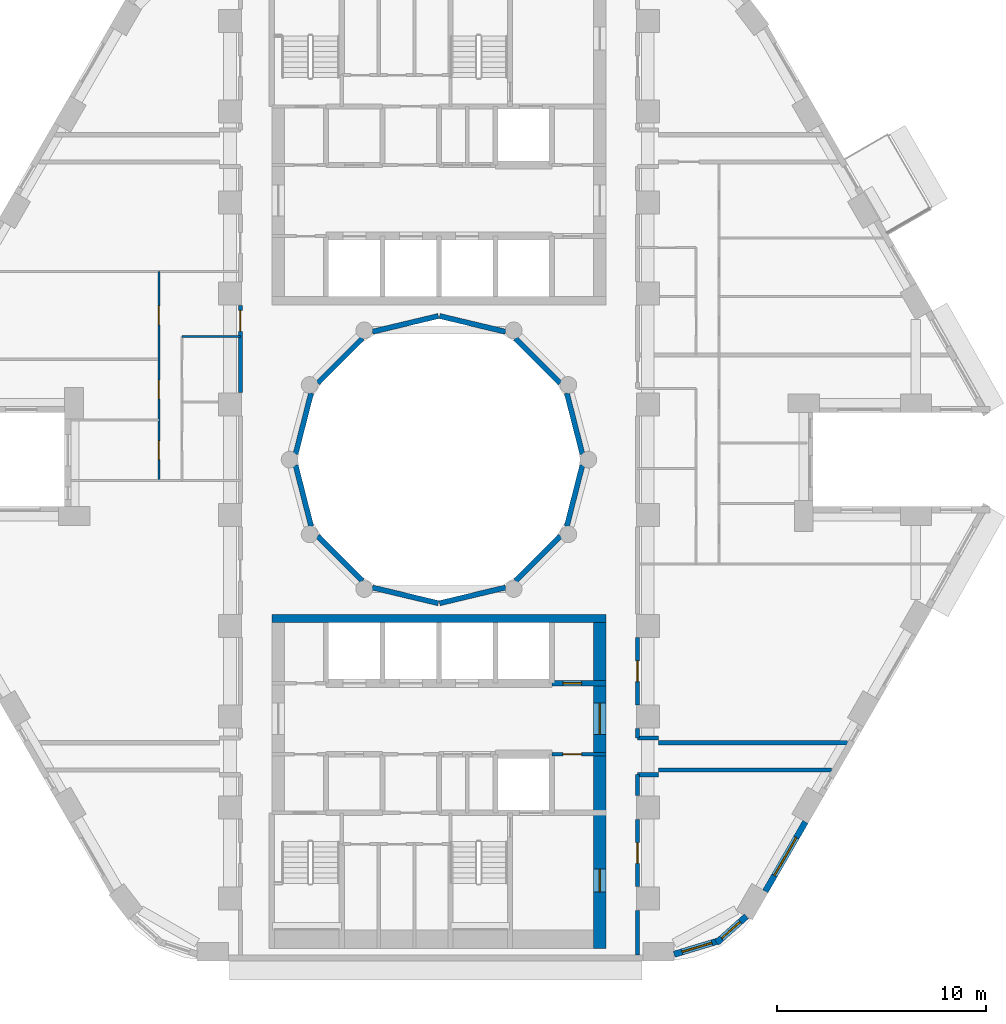
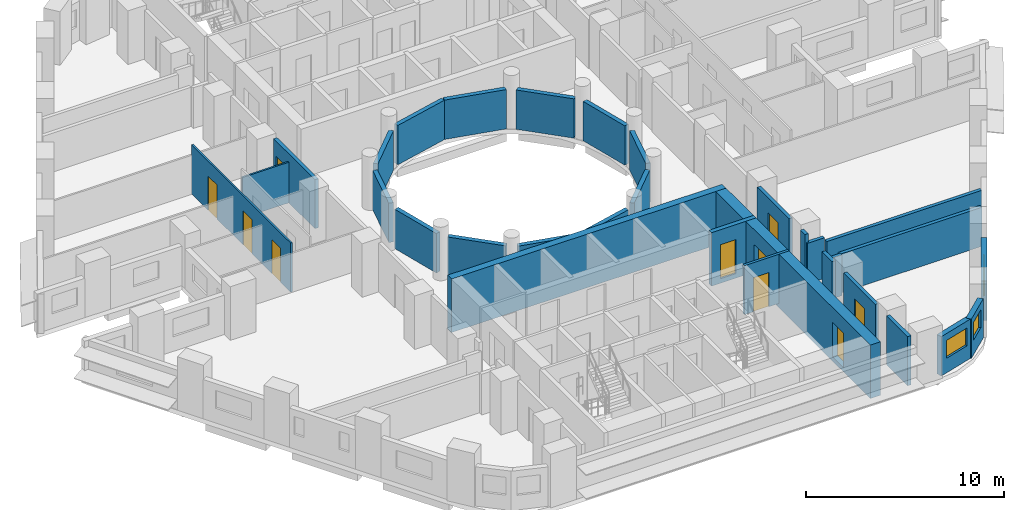
# One storey, part 5 of 13: 31 walls, 10 doors, 3 windows, 13 openings.
"""IFC4 building model written with IfcOpenShell, lengths in metres."""

from ifc_helpers import new_model, si_unit, direction, frame, frame_2d, origin, place, context, subcontext, project, spatial, rectangle, extrude, material, layer, layer_set, type_object, element, fill, save


model = new_model("IFC4")

# Units and contexts
model_context = context("Model", 3, precision=1e-05, world=origin(), true_north=direction((0.0, 1.0)))
body_context = subcontext(model_context, "Body", "Model", "MODEL_VIEW")
ifc_project = project(units=[si_unit("LENGTHUNIT", "METRE"), si_unit("AREAUNIT", "SQUARE_METRE"), si_unit("VOLUMEUNIT", "CUBIC_METRE"), si_unit("PLANEANGLEUNIT", "RADIAN"), si_unit("MASSUNIT", "GRAM", prefix="KILO")], contexts=[model_context])

# Site, building, storey
site_placement = place(None, origin())
site = spatial("IfcSite", under=ifc_project, at=site_placement, CompositionType="ELEMENT")
building_placement = place(site_placement, origin())
building = spatial("IfcBuilding", under=site, at=building_placement, Name="Nakaniwa Court", CompositionType="ELEMENT")
storey_placement = place(building_placement, frame((0.0, 0.0, 61.199951171875)))
storey = spatial("IfcBuildingStorey", under=building, at=storey_placement, Name="L16", CompositionType="ELEMENT", Elevation=61.199951171875)

# Wall
ifc_material_1 = material(Name="Acoustic double stud partition")
ifc_layer_1 = layer(ifc_material_1, 0.199951171875)
ifc_layer_set_1 = layer_set([ifc_layer_1], Name="Acoustic double stud partition")
wall_type_1 = type_object("IfcWallType", Name="Acoustic double stud partition 200", PredefinedType="PARTITIONING", material=ifc_layer_set_1)
wall_1_placement = place(storey_placement, frame((89.5, 56.300048828125, 0.0), z_axis=(0.0, 0.0, 1.0), x_axis=(0.0, 1.0, 0.0)))
element("IfcWall", 1, at=wall_1_placement, inside=storey, type_object=wall_type_1, Name="Partition PW-071", PredefinedType="PARTITIONING", context=body_context, shape_type="SweptSolid", body=[
    extrude(rectangle(XDim=2.133056640625, YDim=0.199951171875, at=frame_2d((1.06640625, 0.0))), origin(), (0.0, 0.0, 1.0), 3.025146484375),
])

# Wall, opening, door
wall_2_placement = place(storey_placement, frame((89.5, 62.782958984375, 0.0), z_axis=(0.0, 0.0, 1.0), x_axis=(0.0, -1.0, 0.0)))
wall_2 = element("IfcWall", 2, at=wall_2_placement, inside=storey, type_object=wall_type_1, Name="Partition PW-072", PredefinedType="PARTITIONING", context=body_context, shape_type="SweptSolid", body=[
    extrude(rectangle(XDim=3.216064453125, YDim=0.199951171875, at=frame_2d((1.60791015625, 0.0))), origin(), (0.0, 0.0, 1.0), 3.025146484375),
])
opening_1_placement = place(wall_2_placement, frame((1.10791015625, 0.0, 0.0)))
opening_1 = element("IfcOpeningElement", 3, at=opening_1_placement, cuts=wall_2, Name="Opening D-02-01", PredefinedType="OPENING", context=body_context, shape_type="SweptSolid", body=[
    extrude(rectangle(XDim=1.0, YDim=2.10009765625, at=frame_2d((0.5, 1.050048828125))), frame((0.0, 0.10986328125, 0.0), z_axis=(0.0, -1.0, 0.0), x_axis=(1.0, 0.0, 0.0)), (0.0, 0.0, 1.0), 0.219970703125),
])
ifc_material_2 = material(Name="Solid core timber door set, black veneer", Category="wood")
door_type_1 = type_object("IfcDoorType", Name="Internal door 1000", OperationType="NOTDEFINED", PredefinedType="DOOR", material=ifc_material_2)
door_1_placement = place(opening_1_placement, origin())
door_1 = element("IfcDoor", 4, at=door_1_placement, inside=storey, type_object=door_type_1, Name="Door D-02-01 L16-029", OperationType="SINGLE_SWING_RIGHT", OverallHeight=2.10009765625, OverallWidth=1.0, PredefinedType="DOOR", context=body_context, shape_type="SweptSolid", body=[
    extrude(rectangle(XDim=1.0, YDim=2.10009765625, at=frame_2d((0.5, 1.050048828125))), frame((0.0, 0.02490234375, 0.0), z_axis=(0.0, -1.0, 0.0), x_axis=(1.0, 0.0, 0.0)), (0.0, 0.0, 1.0), 0.050048828125),
])
fill(opening_1, door_1)

# Walls
wall_3_placement = place(storey_placement, frame((89.5, 63.9169921875, 0.0), z_axis=(0.0, 0.0, 1.0), x_axis=(0.0, 1.0, 0.0)))
element("IfcWall", 5, at=wall_3_placement, inside=storey, type_object=wall_type_1, Name="Partition PW-073", PredefinedType="PARTITIONING", context=body_context, shape_type="SweptSolid", body=[
    extrude(rectangle(XDim=1.010986328125, YDim=0.199951171875, at=frame_2d((0.50537109375, 0.0))), origin(), (0.0, 0.0, 1.0), 3.025146484375),
])
wall_4_placement = place(storey_placement, frame((89.5, 66.672119140625, 0.0), z_axis=(0.0, 0.0, 1.0), x_axis=(0.0, 1.0, 0.0)))
element("IfcWall", 6, at=wall_4_placement, inside=storey, type_object=wall_type_1, Name="Partition PW-074", PredefinedType="PARTITIONING", context=body_context, shape_type="SweptSolid", body=[
    extrude(rectangle(XDim=0.4609375, YDim=0.199951171875, at=frame_2d((0.23046875, 0.0))), origin(), (0.0, 0.0, 1.0), 3.025146484375),
])

# Wall, opening, door
wall_5_placement = place(storey_placement, frame((89.5, 71.48291015625, 0.0), z_axis=(0.0, 0.0, 1.0), x_axis=(0.0, -1.0, 0.0)))
wall_5 = element("IfcWall", 7, at=wall_5_placement, inside=storey, type_object=wall_type_1, Name="Partition PW-075", PredefinedType="PARTITIONING", context=body_context, shape_type="SweptSolid", body=[
    extrude(rectangle(XDim=3.2158203125, YDim=0.199951171875, at=frame_2d((1.60791015625, 0.0))), origin(), (0.0, 0.0, 1.0), 3.025146484375),
])
opening_2_placement = place(wall_5_placement, frame((1.10791015625, 0.0, 0.0)))
opening_2 = element("IfcOpeningElement", 8, at=opening_2_placement, cuts=wall_5, Name="Opening D-02-02", PredefinedType="OPENING", context=body_context, shape_type="SweptSolid", body=[
    extrude(rectangle(XDim=1.0, YDim=2.10009765625, at=frame_2d((0.5, 1.050048828125))), frame((0.0, 0.10986328125, 0.0), z_axis=(0.0, -1.0, 0.0), x_axis=(1.0, 0.0, 0.0)), (0.0, 0.0, 1.0), 0.219970703125),
])
door_2_placement = place(opening_2_placement, origin())
door_2 = element("IfcDoor", 9, at=door_2_placement, inside=storey, type_object=door_type_1, Name="Door D-02-02 L16-030", OperationType="SINGLE_SWING_LEFT", OverallHeight=2.10009765625, OverallWidth=1.0, PredefinedType="DOOR", context=body_context, shape_type="SweptSolid", body=[
    extrude(rectangle(XDim=1.0, YDim=2.10009765625, at=frame_2d((0.5, 1.050048828125))), frame((0.0, 0.02490234375, 0.0), z_axis=(0.0, -1.0, 0.0), x_axis=(1.0, 0.0, 0.0)), (0.0, 0.0, 1.0), 0.050048828125),
])
fill(opening_2, door_2)

# Walls
wall_6_placement = place(storey_placement, frame((90.5, 65.14990234375, 0.0), z_axis=(0.0, 0.0, 1.0), x_axis=(1.0, 0.0, 0.0)))
element("IfcWall", 10, at=wall_6_placement, inside=storey, type_object=wall_type_1, Name="Partition PW-093", PredefinedType="PARTITIONING", context=body_context, shape_type="SweptSolid", body=[
    extrude(rectangle(XDim=8.292724609375, YDim=0.199951171875, at=frame_2d((4.146484375, 0.0))), origin(), (0.0, 0.0, 1.0), 2.405029296875),
])
for number, where, z_axis, x_axis, name in (
    (11, (89.5, 64.925048828125, 0.0), (0.0, 0.0, 1.0), (1.0, 0.0, 0.0), "Partition PW-095"),
    (12, (89.5, 66.675048828125, 0.0), (0.0, 0.0, 1.0), (1.0, 0.0, 0.0), "Partition PW-097"),
):
    element("IfcWall", number, at=place(storey_placement, frame(where, z_axis=z_axis, x_axis=x_axis)), inside=storey, type_object=wall_type_1, Name=name, PredefinedType="PARTITIONING", context=body_context, shape_type="SweptSolid", body=[
        extrude(rectangle(XDim=1.0, YDim=0.199951171875, at=frame_2d((0.5, 0.0))), origin(), (0.0, 0.0, 1.0), 2.505126953125),
    ])
wall_7_placement = place(storey_placement, frame((90.5, 66.449951171875, 0.0), z_axis=(0.0, 0.0, 1.0), x_axis=(1.0, 0.0, 0.0)))
element("IfcWall", 13, at=wall_7_placement, inside=storey, type_object=wall_type_1, Name="Partition PW-099", PredefinedType="PARTITIONING", context=body_context, shape_type="SweptSolid", body=[
    extrude(rectangle(XDim=9.043212890625, YDim=0.199951171875, at=frame_2d((4.521484375, 0.0))), origin(), (0.0, 0.0, 1.0), 2.405029296875),
])

# Wall, opening, door
wall_8_placement = place(storey_placement, frame((70.5, 83.217041015625, 0.0), z_axis=(0.0, 0.0, 1.0), x_axis=(0.0, 1.0, 0.0)))
wall_8 = element("IfcWall", 14, at=wall_8_placement, inside=storey, type_object=wall_type_1, Name="Partition PW-107", PredefinedType="PARTITIONING", context=body_context, shape_type="SweptSolid", body=[
    extrude(rectangle(XDim=4.166015625, YDim=0.199951171875, at=frame_2d((2.0830078125, 0.0))), origin(), (0.0, 0.0, 1.0), 3.025146484375),
])
opening_3_placement = place(wall_8_placement, frame((2.923095703125, 0.0, 0.0)))
opening_3 = element("IfcOpeningElement", 15, at=opening_3_placement, cuts=wall_8, Name="Opening D-01-03", PredefinedType="OPENING", context=body_context, shape_type="SweptSolid", body=[
    extrude(rectangle(XDim=1.0, YDim=2.10009765625, at=frame_2d((0.5, 1.050048828125))), frame((0.0, 0.10986328125, 0.0), z_axis=(0.0, -1.0, 0.0), x_axis=(1.0, 0.0, 0.0)), (0.0, 0.0, 1.0), 0.219970703125),
])
door_type_2 = type_object("IfcDoorType", Name="Flat entrance door 1000", OperationType="NOTDEFINED", PredefinedType="DOOR", material=ifc_material_2)
door_3_placement = place(opening_3_placement, origin())
door_3 = element("IfcDoor", 16, at=door_3_placement, inside=storey, type_object=door_type_2, Name="Door D-01-03 L16-046", OperationType="SINGLE_SWING_LEFT", OverallHeight=2.10009765625, OverallWidth=1.0, PredefinedType="DOOR", context=body_context, shape_type="SweptSolid", body=[
    extrude(rectangle(XDim=1.0, YDim=2.10009765625, at=frame_2d((0.5, 1.050048828125))), frame((0.0, 0.02490234375, 0.0), z_axis=(0.0, -1.0, 0.0), x_axis=(1.0, 0.0, 0.0)), (0.0, 0.0, 1.0), 0.050048828125),
])
fill(opening_3, door_3)

# Wall, opening, window
ifc_material_3 = material(Name="Charcoal ceramic cladding")
ifc_layer_2 = layer(ifc_material_3, 0.02, Name="Ceramic cladding")
ifc_material_4 = material(Name="Ventilated air cavity")
ifc_layer_3 = layer(ifc_material_4, 0.04, ventilated=True, Name="Ventilated cavity")
ifc_material_5 = material(Name="Mineral wool insulation")
ifc_layer_4 = layer(ifc_material_5, 0.1, Name="Insulation")
ifc_material_6 = material(Name="Cement bonded sheathing board")
ifc_layer_5 = layer(ifc_material_6, 0.012, Name="Sheathing")
ifc_material_7 = material(Name="Cold-formed galvanised stud frame with mineral wool infill")
ifc_layer_6 = layer(ifc_material_7, 0.1, Name="Stud frame")
ifc_material_8 = material(Name="Fire-rated gypsum plasterboard lining")
ifc_layer_7 = layer(ifc_material_8, 0.028, Name="Lining")
ifc_layer_set_2 = layer_set([ifc_layer_2, ifc_layer_3, ifc_layer_4, ifc_layer_5, ifc_layer_6, ifc_layer_7], Name="Charcoal ceramic faced external wall system")
wall_type_2 = type_object("IfcWallType", Name="Black ceramic faced external wall 300", PredefinedType="SOLIDWALL", material=ifc_layer_set_2)
wall_9_placement = place(storey_placement, frame((91.25341796875, 56.331298828125, 0.0), z_axis=(0.0, 0.0, 1.0), x_axis=(0.957433631901, 0.288653495569, 0.0)))
wall_9 = element("IfcWall", 17, at=wall_9_placement, inside=storey, type_object=wall_type_2, Name="L16 external wall 27", PredefinedType="SOLIDWALL", context=body_context, shape_type="SweptSolid", body=[
    extrude(rectangle(XDim=2.212646484375, YDim=0.300048828125, at=frame_2d((1.1064453125, 0.0))), origin(), (0.0, 0.0, 1.0), 2.425048828125),
])
opening_4_placement = place(wall_9_placement, frame((0.394287109375, 0.0, 0.89990234375)))
opening_4 = element("IfcOpeningElement", 18, at=opening_4_placement, cuts=wall_9, Name="Opening W5.29", PredefinedType="OPENING", context=body_context, shape_type="SweptSolid", body=[
    extrude(rectangle(XDim=1.5, YDim=1.10009765625, at=frame_2d((0.75, 0.550048828125))), frame((0.0, 0.159912109375, 0.0), z_axis=(0.0, -1.0, 0.0), x_axis=(1.0, 0.0, 0.0)), (0.0, 0.0, 1.0), 0.320068359375),
])
ifc_material_9 = material(Name="Black anodised aluminium frame with dark low-E laminated double glazing", Category="aluminium")
window_type_1 = type_object("IfcWindowType", Name="Dark glass window 1500x1100 sill 900", PartitioningType="SINGLE_PANEL", PredefinedType="WINDOW", material=ifc_material_9)
window_1_placement = place(opening_4_placement, origin())
window_1 = element("IfcWindow", 19, at=window_1_placement, inside=storey, type_object=window_type_1, Name="L16 habitable room window 27-0", OverallHeight=1.10009765625, OverallWidth=1.5, PartitioningType="SINGLE_PANEL", PredefinedType="WINDOW", context=body_context, shape_type="SweptSolid", body=[
    extrude(rectangle(XDim=1.5, YDim=1.10009765625, at=frame_2d((0.75, 0.550048828125))), frame((0.0, 0.030029296875, 0.0), z_axis=(0.0, -1.0, 0.0), x_axis=(1.0, 0.0, 0.0)), (0.0, 0.0, 1.0), 0.06005859375),
])
fill(opening_4, window_1)

wall_10_placement = place(storey_placement, frame((93.288818359375, 56.882568359375, 0.0), z_axis=(0.0, 0.0, 1.0), x_axis=(0.746941556212, 0.664889698825, 0.0)))
wall_10 = element("IfcWall", 20, at=wall_10_placement, inside=storey, type_object=wall_type_2, Name="L16 external wall 28", PredefinedType="SOLIDWALL", context=body_context, shape_type="SweptSolid", body=[
    extrude(rectangle(XDim=1.9013671875, YDim=0.300048828125, at=frame_2d((0.95068359375, 0.0))), origin(), (0.0, 0.0, 1.0), 2.425048828125),
])
opening_5_placement = place(wall_10_placement, frame((0.31005859375, 0.0, 0.89990234375)))
opening_5 = element("IfcOpeningElement", 21, at=opening_5_placement, cuts=wall_10, Name="Opening W6.30", PredefinedType="OPENING", context=body_context, shape_type="SweptSolid", body=[
    extrude(rectangle(XDim=1.199951171875, YDim=1.10009765625, at=frame_2d((0.60009765625, 0.550048828125))), frame((0.0, 0.159912109375, 0.0), z_axis=(0.0, -1.0, 0.0), x_axis=(1.0, 0.0, 0.0)), (0.0, 0.0, 1.0), 0.320068359375),
])
window_type_2 = type_object("IfcWindowType", Name="Dark glass window 1200x1100 sill 900", PartitioningType="SINGLE_PANEL", PredefinedType="WINDOW", material=ifc_material_9)
window_2_placement = place(opening_5_placement, origin())
window_2 = element("IfcWindow", 22, at=window_2_placement, inside=storey, type_object=window_type_2, Name="L16 habitable room window 28-0", OverallHeight=1.10009765625, OverallWidth=1.199951171875, PartitioningType="SINGLE_PANEL", PredefinedType="WINDOW", context=body_context, shape_type="SweptSolid", body=[
    extrude(rectangle(XDim=1.199951171875, YDim=1.10009765625, at=frame_2d((0.60009765625, 0.550048828125))), frame((0.0, 0.030029296875, 0.0), z_axis=(0.0, -1.0, 0.0), x_axis=(1.0, 0.0, 0.0)), (0.0, 0.0, 1.0), 0.06005859375),
])
fill(opening_5, window_2)

wall_11_placement = place(storey_placement, frame((95.615234375, 59.346435546875, 0.0), z_axis=(0.0, 0.0, 1.0), x_axis=(0.499974163209, 0.866040320149, 0.0)))
wall_11 = element("IfcWall", 23, at=wall_11_placement, inside=storey, type_object=wall_type_2, Name="L16 external wall 29", PredefinedType="SOLIDWALL", context=body_context, shape_type="SweptSolid", body=[
    extrude(rectangle(XDim=3.834228515625, YDim=0.300048828125, at=frame_2d((1.9169921875, 0.0))), origin(), (0.0, 0.0, 1.0), 2.425048828125),
])
opening_6_placement = place(wall_11_placement, frame((0.866943359375, 0.0, 0.89990234375)))
opening_6 = element("IfcOpeningElement", 24, at=opening_6_placement, cuts=wall_11, Name="Opening W7.31", PredefinedType="OPENING", context=body_context, shape_type="SweptSolid", body=[
    extrude(rectangle(XDim=2.10009765625, YDim=1.10009765625, at=frame_2d((1.050048828125, 0.550048828125))), frame((0.0, 0.159912109375, 0.0), z_axis=(0.0, -1.0, 0.0), x_axis=(1.0, 0.0, 0.0)), (0.0, 0.0, 1.0), 0.320068359375),
])
window_type_3 = type_object("IfcWindowType", Name="Dark glass window 2100x1100 sill 900", PartitioningType="SINGLE_PANEL", PredefinedType="WINDOW", material=ifc_material_9)
window_3_placement = place(opening_6_placement, origin())
window_3 = element("IfcWindow", 25, at=window_3_placement, inside=storey, type_object=window_type_3, Name="L16 habitable room window 29-0", OverallHeight=1.10009765625, OverallWidth=2.10009765625, PartitioningType="SINGLE_PANEL", PredefinedType="WINDOW", context=body_context, shape_type="SweptSolid", body=[
    extrude(rectangle(XDim=2.10009765625, YDim=1.10009765625, at=frame_2d((1.050048828125, 0.550048828125))), frame((0.0, 0.030029296875, 0.0), z_axis=(0.0, -1.0, 0.0), x_axis=(1.0, 0.0, 0.0)), (0.0, 0.0, 1.0), 0.06005859375),
])
fill(opening_6, window_3)

# Wall, opening, door
ifc_material_10 = material(Name="Blockwork partition", Category="masonry")
ifc_layer_8 = layer(ifc_material_10, 0.14990234375)
ifc_layer_set_3 = layer_set([ifc_layer_8], Name="Blockwork partition")
wall_type_3 = type_object("IfcWallType", Name="Blockwork partition 150", PredefinedType="PARTITIONING", material=ifc_layer_set_3)
wall_12_placement = place(storey_placement, frame((88.0, 65.89990234375, 0.0), z_axis=(0.0, 0.0, 1.0), x_axis=(-1.0, 0.0, 0.0)))
wall_12 = element("IfcWall", 26, at=wall_12_placement, inside=storey, type_object=wall_type_3, Name="Partition PW-053", PredefinedType="PARTITIONING", context=body_context, shape_type="SweptSolid", body=[
    extrude(rectangle(XDim=2.60302734375, YDim=0.14990234375, at=frame_2d((1.301513671875, 0.0))), origin(), (0.0, 0.0, 1.0), 3.025146484375),
])
opening_7_placement = place(wall_12_placement, frame((1.175048828125, 0.0, 0.0)))
opening_7 = element("IfcOpeningElement", 27, at=opening_7_placement, cuts=wall_12, Name="Opening D-05-15", PredefinedType="OPENING", context=body_context, shape_type="SweptSolid", body=[
    extrude(rectangle(XDim=0.89990234375, YDim=2.10009765625, at=frame_2d((0.449951171875, 1.050048828125))), frame((0.0, 0.0849609375, 0.0), z_axis=(0.0, -1.0, 0.0), x_axis=(1.0, 0.0, 0.0)), (0.0, 0.0, 1.0), 0.169921875),
])
ifc_material_11 = material(Name="Fire rated steel door set", Category="steel")
door_type_3 = type_object("IfcDoorType", Name="Service room door 900", OperationType="NOTDEFINED", PredefinedType="DOOR", material=ifc_material_11)
door_4_placement = place(opening_7_placement, origin())
door_4 = element("IfcDoor", 28, at=door_4_placement, inside=storey, type_object=door_type_3, Name="Door D-05-15 L16-022", OperationType="SINGLE_SWING_LEFT", OverallHeight=2.10009765625, OverallWidth=0.89990234375, PredefinedType="DOOR", context=body_context, shape_type="SweptSolid", body=[
    extrude(rectangle(XDim=0.89990234375, YDim=2.10009765625, at=frame_2d((0.449951171875, 1.050048828125))), frame((0.0, 0.02490234375, 0.0), z_axis=(0.0, -1.0, 0.0), x_axis=(1.0, 0.0, 0.0)), (0.0, 0.0, 1.0), 0.050048828125),
])
fill(opening_7, door_4)

# Walls
ifc_layer_9 = layer(ifc_material_3, 0.02, Name="Ceramic cladding")
ifc_layer_10 = layer(ifc_material_4, 0.04, ventilated=True, Name="Ventilated cavity")
ifc_layer_11 = layer(ifc_material_5, 0.075, Name="Insulation")
ifc_layer_12 = layer(ifc_material_6, 0.012, Name="Sheathing")
ifc_layer_13 = layer(ifc_material_7, 0.075, Name="Stud frame")
ifc_layer_14 = layer(ifc_material_8, 0.028, Name="Lining")
ifc_layer_set_4 = layer_set([ifc_layer_9, ifc_layer_10, ifc_layer_11, ifc_layer_12, ifc_layer_13, ifc_layer_14], Name="Charcoal ceramic faced external wall system")
wall_type_4 = type_object("IfcWallType", Name="Charcoal ceramic faced well wall 250", PredefinedType="SOLIDWALL", material=ifc_layer_set_4)
wall_13_placement = place(storey_placement, frame((86.8603515625, 79.72998046875, 0.0), z_axis=(0.0, 0.0, 1.0), x_axis=(-0.247055971283, -0.969001211069, 0.0)))
element("IfcWall", 29, at=wall_13_placement, inside=storey, type_object=wall_type_4, Name="L16 external wall 36", PredefinedType="SOLIDWALL", context=body_context, shape_type="SweptSolid", body=[
    extrude(rectangle(XDim=3.010009765625, YDim=0.25, at=frame_2d((1.5048828125, 0.0))), origin(), (0.0, 0.0, 1.0), 2.425048828125),
])
wall_14_placement = place(storey_placement, frame((85.8056640625, 76.339111328125, 0.0), z_axis=(0.0, 0.0, 1.0), x_axis=(-0.707106781187, -0.707106781187, 0.0)))
element("IfcWall", 30, at=wall_14_placement, inside=storey, type_object=wall_type_4, Name="L16 external wall 37", PredefinedType="SOLIDWALL", context=body_context, shape_type="SweptSolid", body=[
    extrude(rectangle(XDim=3.033203125, YDim=0.25, at=frame_2d((1.5166015625, 0.0))), origin(), (0.0, 0.0, 1.0), 2.425048828125),
])
for number, where, z_axis, x_axis, name in (
    (31, (83.186279296875, 73.880615234375, 0.0), (0.0, 0.0, 1.0), (-0.972773113459, -0.231759508395, 0.0), "L16 external wall 38"),
    (32, (79.970947265625, 73.12841796875, 0.0), (0.0, 0.0, 1.0), (-0.972773113459, 0.231759508395, 0.0), "L16 external wall 39"),
):
    element("IfcWall", number, at=place(storey_placement, frame(where, z_axis=z_axis, x_axis=x_axis)), inside=storey, type_object=wall_type_4, Name=name, PredefinedType="SOLIDWALL", context=body_context, shape_type="SweptSolid", body=[
        extrude(rectangle(XDim=3.24560546875, YDim=0.25, at=frame_2d((1.622802734375, 0.0))), origin(), (0.0, 0.0, 1.0), 2.425048828125),
    ])
wall_15_placement = place(storey_placement, frame((76.339111328125, 74.1943359375, 0.0), z_axis=(0.0, 0.0, 1.0), x_axis=(-0.707106781187, 0.707106781187, 0.0)))
element("IfcWall", 33, at=wall_15_placement, inside=storey, type_object=wall_type_4, Name="L16 external wall 40", PredefinedType="SOLIDWALL", context=body_context, shape_type="SweptSolid", body=[
    extrude(rectangle(XDim=3.033203125, YDim=0.25, at=frame_2d((1.5166015625, 0.0))), origin(), (0.0, 0.0, 1.0), 2.425048828125),
])
for number, where, z_axis, x_axis, name in (
    (34, (73.88330078125, 76.813232421875, 0.0), (0.0, 0.0, 1.0), (-0.247055971283, 0.969001211069, 0.0), "L16 external wall 41"),
    (35, (73.1396484375, 80.27001953125, 0.0), (0.0, 0.0, 1.0), (0.247055971283, 0.969001211069, 0.0), "L16 external wall 42"),
):
    element("IfcWall", number, at=place(storey_placement, frame(where, z_axis=z_axis, x_axis=x_axis)), inside=storey, type_object=wall_type_4, Name=name, PredefinedType="SOLIDWALL", context=body_context, shape_type="SweptSolid", body=[
        extrude(rectangle(XDim=3.010009765625, YDim=0.25, at=frame_2d((1.5048828125, 0.0))), origin(), (0.0, 0.0, 1.0), 2.425048828125),
    ])
wall_16_placement = place(storey_placement, frame((74.1943359375, 83.660888671875, 0.0), z_axis=(0.0, 0.0, 1.0), x_axis=(0.707106781187, 0.707106781187, 0.0)))
element("IfcWall", 36, at=wall_16_placement, inside=storey, type_object=wall_type_4, Name="L16 external wall 43", PredefinedType="SOLIDWALL", context=body_context, shape_type="SweptSolid", body=[
    extrude(rectangle(XDim=3.033203125, YDim=0.25, at=frame_2d((1.5166015625, 0.0))), origin(), (0.0, 0.0, 1.0), 2.425048828125),
])
for number, where, z_axis, x_axis, name in (
    (37, (76.813720703125, 86.119384765625, 0.0), (0.0, 0.0, 1.0), (0.972773113459, 0.231759508395, 0.0), "L16 external wall 44"),
    (38, (80.029052734375, 86.87158203125, 0.0), (0.0, 0.0, 1.0), (0.972773113459, -0.231759508395, 0.0), "L16 external wall 45"),
):
    element("IfcWall", number, at=place(storey_placement, frame(where, z_axis=z_axis, x_axis=x_axis)), inside=storey, type_object=wall_type_4, Name=name, PredefinedType="SOLIDWALL", context=body_context, shape_type="SweptSolid", body=[
        extrude(rectangle(XDim=3.24560546875, YDim=0.25, at=frame_2d((1.622802734375, 0.0))), origin(), (0.0, 0.0, 1.0), 2.425048828125),
    ])
wall_17_placement = place(storey_placement, frame((83.660888671875, 85.8056640625, 0.0), z_axis=(0.0, 0.0, 1.0), x_axis=(0.707106781187, -0.707106781187, 0.0)))
element("IfcWall", 39, at=wall_17_placement, inside=storey, type_object=wall_type_4, Name="L16 external wall 46", PredefinedType="SOLIDWALL", context=body_context, shape_type="SweptSolid", body=[
    extrude(rectangle(XDim=3.033203125, YDim=0.25, at=frame_2d((1.5166015625, 0.0))), origin(), (0.0, 0.0, 1.0), 2.425048828125),
])
wall_18_placement = place(storey_placement, frame((86.11669921875, 83.186767578125, 0.0), z_axis=(0.0, 0.0, 1.0), x_axis=(0.247055971283, -0.969001211069, 0.0)))
element("IfcWall", 40, at=wall_18_placement, inside=storey, type_object=wall_type_4, Name="L16 external wall 47", PredefinedType="SOLIDWALL", context=body_context, shape_type="SweptSolid", body=[
    extrude(rectangle(XDim=3.010009765625, YDim=0.25, at=frame_2d((1.5048828125, 0.0))), origin(), (0.0, 0.0, 1.0), 2.425048828125),
])

# Wall, openings, doors
ifc_material_12 = material(Name="Concrete C100/115", Category="concrete")
ifc_layer_15 = layer(ifc_material_12, 0.60009765625)
ifc_layer_set_5 = layer_set([ifc_layer_15], Name="Concrete C100/115")
wall_type_5 = type_object("IfcWallType", Name="Concrete core side wall 600 C100", PredefinedType="SHEAR", material=ifc_layer_set_5)
wall_19_placement = place(storey_placement, frame((87.699951171875, 72.199951171875, -0.27490234375), z_axis=(0.0, 0.0, 1.0), x_axis=(0.0, -1.0, 0.0)))
wall_19 = element("IfcWall", 41, at=wall_19_placement, inside=storey, type_object=wall_type_5, Name="Core wall SW-50", PredefinedType="SHEAR", context=body_context, shape_type="SweptSolid", body=[
    extrude(rectangle(XDim=15.599853515625, YDim=0.60009765625, at=frame_2d((7.7998046875, 0.0))), origin(), (0.0, 0.0, 1.0), 3.300048828125),
])
opening_8_placement = place(wall_19_placement, frame((3.85009765625, 0.0, 0.27490234375)))
opening_8 = element("IfcOpeningElement", 42, at=opening_8_placement, cuts=wall_19, Name="Opening D-07-03", PredefinedType="OPENING", context=body_context, shape_type="SweptSolid", body=[
    extrude(rectangle(XDim=1.5, YDim=2.10009765625, at=frame_2d((0.75, 1.050048828125))), frame((0.0, 0.31005859375, 0.0), z_axis=(0.0, -1.0, 0.0), x_axis=(1.0, 0.0, 0.0)), (0.0, 0.0, 1.0), 0.6201171875),
])
opening_9_placement = place(wall_19_placement, frame((11.800048828125, 0.0, 0.27490234375)))
opening_9 = element("IfcOpeningElement", 43, at=opening_9_placement, cuts=wall_19, Name="Opening D-10-02", PredefinedType="OPENING", context=body_context, shape_type="SweptSolid", body=[
    extrude(rectangle(XDim=1.10009765625, YDim=2.10009765625, at=frame_2d((0.550048828125, 1.050048828125))), frame((0.0, 0.31005859375, 0.0), z_axis=(0.0, -1.0, 0.0), x_axis=(1.0, 0.0, 0.0)), (0.0, 0.0, 1.0), 0.6201171875),
])
door_type_4 = type_object("IfcDoorType", Name="Firefighting lobby door 1100", OperationType="NOTDEFINED", PredefinedType="DOOR", material=ifc_material_11)
door_5_placement = place(opening_9_placement, origin())
door_5 = element("IfcDoor", 44, at=door_5_placement, inside=storey, type_object=door_type_4, Name="Door D-10-02 L16-059", OperationType="SINGLE_SWING_RIGHT", OverallHeight=2.10009765625, OverallWidth=1.10009765625, PredefinedType="DOOR", context=body_context, shape_type="SweptSolid", body=[
    extrude(rectangle(XDim=1.10009765625, YDim=2.10009765625, at=frame_2d((0.550048828125, 1.050048828125))), frame((0.0, 0.02490234375, 0.0), z_axis=(0.0, -1.0, 0.0), x_axis=(1.0, 0.0, 0.0)), (0.0, 0.0, 1.0), 0.050048828125),
])
fill(opening_9, door_5)
ifc_material_13 = material(Name="Glazed fire rated steel double door set", Category="steel")
door_type_5 = type_object("IfcDoorType", Name="Lobby double door 1500", OperationType="NOTDEFINED", PredefinedType="DOOR", material=ifc_material_13)
door_6_placement = place(opening_8_placement, origin())
door_6 = element("IfcDoor", 45, at=door_6_placement, inside=storey, type_object=door_type_5, Name="Door D-07-03 L16-057", OperationType="DOUBLE_DOOR_SINGLE_SWING", OverallHeight=2.10009765625, OverallWidth=1.5, PredefinedType="DOOR", context=body_context, shape_type="SweptSolid", body=[
    extrude(rectangle(XDim=1.5, YDim=2.10009765625, at=frame_2d((0.75, 1.050048828125))), frame((0.0, 0.02490234375, 0.0), z_axis=(0.0, -1.0, 0.0), x_axis=(1.0, 0.0, 0.0)), (0.0, 0.0, 1.0), 0.050048828125),
])
fill(opening_8, door_6)

# Wall
ifc_layer_16 = layer(ifc_material_12, 0.39990234375)
ifc_layer_set_6 = layer_set([ifc_layer_16], Name="Concrete C100/115")
wall_type_6 = type_object("IfcWallType", Name="Concrete core well wall 400 C100", PredefinedType="SHEAR", material=ifc_layer_set_6)
wall_20_placement = place(storey_placement, frame((72.00390625, 72.39990234375, -0.27490234375), z_axis=(0.0, 0.0, 1.0), x_axis=(1.0, 0.0, 0.0)))
element("IfcWall", 46, at=wall_20_placement, inside=storey, type_object=wall_type_6, Name="Core wall SW-136", PredefinedType="SHEAR", context=body_context, shape_type="SweptSolid", body=[
    extrude(rectangle(XDim=15.9921875, YDim=0.39990234375, at=frame_2d((7.99609375, 0.0))), origin(), (0.0, 0.0, 1.0), 3.300048828125),
])

# Wall, opening, door
ifc_layer_17 = layer(ifc_material_12, 0.25)
ifc_layer_set_7 = layer_set([ifc_layer_17], Name="Concrete C100/115")
wall_type_7 = type_object("IfcWallType", Name="Concrete shaft wall 250 C100", PredefinedType="SHEAR", material=ifc_layer_set_7)
wall_21_placement = place(storey_placement, frame((85.39990234375, 69.300048828125, -0.27490234375), z_axis=(0.0, 0.0, 1.0), x_axis=(1.0, 0.0, 0.0)))
wall_21 = element("IfcWall", 47, at=wall_21_placement, inside=storey, type_object=wall_type_7, Name="Core wall SW-49", PredefinedType="SHEAR", context=body_context, shape_type="SweptSolid", body=[
    extrude(rectangle(XDim=2.60009765625, YDim=0.25, at=frame_2d((1.300048828125, 0.0))), origin(), (0.0, 0.0, 1.0), 3.300048828125),
])
opening_10_placement = place(wall_21_placement, frame((0.52490234375, 0.0, 0.27490234375)))
opening_10 = element("IfcOpeningElement", 48, at=opening_10_placement, cuts=wall_21, Name="Opening D-05-11", PredefinedType="OPENING", context=body_context, shape_type="SweptSolid", body=[
    extrude(rectangle(XDim=0.89990234375, YDim=2.10009765625, at=frame_2d((0.449951171875, 1.050048828125))), frame((0.0, 0.135009765625, 0.0), z_axis=(0.0, -1.0, 0.0), x_axis=(1.0, 0.0, 0.0)), (0.0, 0.0, 1.0), 0.27001953125),
])
door_7_placement = place(opening_10_placement, origin())
door_7 = element("IfcDoor", 49, at=door_7_placement, inside=storey, type_object=door_type_3, Name="Door D-05-11 L16-016", OperationType="SINGLE_SWING_LEFT", OverallHeight=2.10009765625, OverallWidth=0.89990234375, PredefinedType="DOOR", context=body_context, shape_type="SweptSolid", body=[
    extrude(rectangle(XDim=0.89990234375, YDim=2.10009765625, at=frame_2d((0.449951171875, 1.050048828125))), frame((0.0, 0.02490234375, 0.0), z_axis=(0.0, -1.0, 0.0), x_axis=(1.0, 0.0, 0.0)), (0.0, 0.0, 1.0), 0.050048828125),
])
fill(opening_10, door_7)

# Wall
ifc_material_14 = material(Name="Single stud plasterboard partition")
ifc_layer_18 = layer(ifc_material_14, 0.10009765625)
ifc_layer_set_8 = layer_set([ifc_layer_18], Name="Single stud plasterboard partition")
wall_type_8 = type_object("IfcWallType", Name="Single stud plasterboard partition 100", PredefinedType="PARTITIONING", material=ifc_layer_set_8)
wall_22_placement = place(storey_placement, frame((67.699951171875, 85.89990234375, 0.0), z_axis=(0.0, 0.0, 1.0), x_axis=(1.0, 0.0, 0.0)))
element("IfcWall", 50, at=wall_22_placement, inside=storey, type_object=wall_type_8, Name="Partition PW-129", PredefinedType="PARTITIONING", context=body_context, shape_type="SweptSolid", body=[
    extrude(rectangle(XDim=2.800048828125, YDim=0.10009765625, at=frame_2d((1.39990234375, 0.0))), origin(), (0.0, 0.0, 1.0), 2.505126953125),
])

# Wall, openings, doors
wall_23_placement = place(storey_placement, frame((66.60009765625, 79.0, 0.0), z_axis=(0.0, 0.0, 1.0), x_axis=(0.0, 1.0, 0.0)))
wall_23 = element("IfcWall", 51, at=wall_23_placement, inside=storey, type_object=wall_type_8, Name="Partition PW-130", PredefinedType="PARTITIONING", context=body_context, shape_type="SweptSolid", body=[
    extrude(rectangle(XDim=10.0, YDim=0.10009765625, at=frame_2d((5.0, 0.0))), origin(), (0.0, 0.0, 1.0), 3.025146484375),
])
opening_11_placement = place(wall_23_placement, frame((1.001953125, 0.0, 0.0)))
opening_11 = element("IfcOpeningElement", 52, at=opening_11_placement, cuts=wall_23, Name="Opening D-33-10", PredefinedType="OPENING", context=body_context, shape_type="SweptSolid", body=[
    extrude(rectangle(XDim=0.89990234375, YDim=2.10009765625, at=frame_2d((0.449951171875, 1.050048828125))), frame((0.0, 0.06005859375, 0.0), z_axis=(0.0, -1.0, 0.0), x_axis=(1.0, 0.0, 0.0)), (0.0, 0.0, 1.0), 0.1201171875),
])
opening_12_placement = place(wall_23_placement, frame((3.905029296875, 0.0, 0.0)))
opening_12 = element("IfcOpeningElement", 53, at=opening_12_placement, cuts=wall_23, Name="Opening D-33-11", PredefinedType="OPENING", context=body_context, shape_type="SweptSolid", body=[
    extrude(rectangle(XDim=0.89990234375, YDim=2.10009765625, at=frame_2d((0.449951171875, 1.050048828125))), frame((0.0, 0.06005859375, 0.0), z_axis=(0.0, -1.0, 0.0), x_axis=(1.0, 0.0, 0.0)), (0.0, 0.0, 1.0), 0.1201171875),
])
opening_13_placement = place(wall_23_placement, frame((7.452880859375, 0.0, 0.0)))
opening_13 = element("IfcOpeningElement", 54, at=opening_13_placement, cuts=wall_23, Name="Opening D-33-12", PredefinedType="OPENING", context=body_context, shape_type="SweptSolid", body=[
    extrude(rectangle(XDim=0.89990234375, YDim=2.10009765625, at=frame_2d((0.449951171875, 1.050048828125))), frame((0.0, 0.06005859375, 0.0), z_axis=(0.0, -1.0, 0.0), x_axis=(1.0, 0.0, 0.0)), (0.0, 0.0, 1.0), 0.1201171875),
])
door_type_6 = type_object("IfcDoorType", Name="Internal door 900", OperationType="NOTDEFINED", PredefinedType="DOOR", material=ifc_material_2)
door_8_placement = place(opening_11_placement, origin())
door_8 = element("IfcDoor", 55, at=door_8_placement, inside=storey, type_object=door_type_6, Name="Door D-33-10 L16-049", OperationType="SINGLE_SWING_RIGHT", OverallHeight=2.10009765625, OverallWidth=0.89990234375, PredefinedType="DOOR", context=body_context, shape_type="SweptSolid", body=[
    extrude(rectangle(XDim=0.89990234375, YDim=2.10009765625, at=frame_2d((0.449951171875, 1.050048828125))), frame((0.0, 0.02490234375, 0.0), z_axis=(0.0, -1.0, 0.0), x_axis=(1.0, 0.0, 0.0)), (0.0, 0.0, 1.0), 0.050048828125),
])
fill(opening_11, door_8)
door_9_placement = place(opening_12_placement, origin())
door_9 = element("IfcDoor", 56, at=door_9_placement, inside=storey, type_object=door_type_6, Name="Door D-33-11 L16-050", OperationType="SINGLE_SWING_LEFT", OverallHeight=2.10009765625, OverallWidth=0.89990234375, PredefinedType="DOOR", context=body_context, shape_type="SweptSolid", body=[
    extrude(rectangle(XDim=0.89990234375, YDim=2.10009765625, at=frame_2d((0.449951171875, 1.050048828125))), frame((0.0, 0.02490234375, 0.0), z_axis=(0.0, -1.0, 0.0), x_axis=(1.0, 0.0, 0.0)), (0.0, 0.0, 1.0), 0.050048828125),
])
fill(opening_12, door_9)
door_10_placement = place(opening_13_placement, origin())
door_10 = element("IfcDoor", 57, at=door_10_placement, inside=storey, type_object=door_type_6, Name="Door D-33-12 L16-051", OperationType="SINGLE_SWING_RIGHT", OverallHeight=2.10009765625, OverallWidth=0.89990234375, PredefinedType="DOOR", context=body_context, shape_type="SweptSolid", body=[
    extrude(rectangle(XDim=0.89990234375, YDim=2.10009765625, at=frame_2d((0.449951171875, 1.050048828125))), frame((0.0, 0.02490234375, 0.0), z_axis=(0.0, -1.0, 0.0), x_axis=(1.0, 0.0, 0.0)), (0.0, 0.0, 1.0), 0.050048828125),
])
fill(opening_13, door_10)

save(model, "model.ifc")
